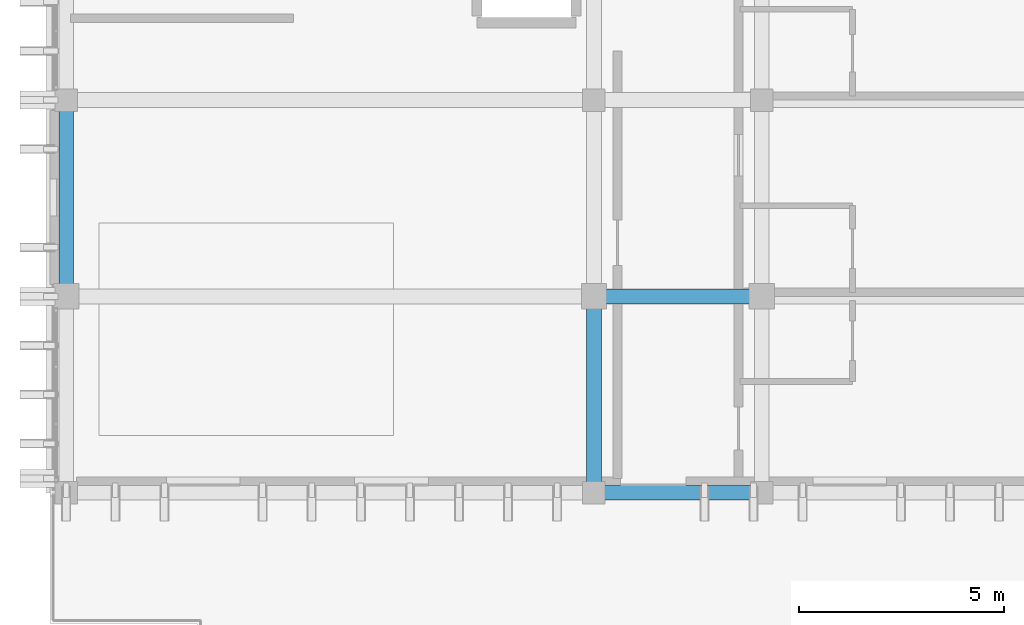
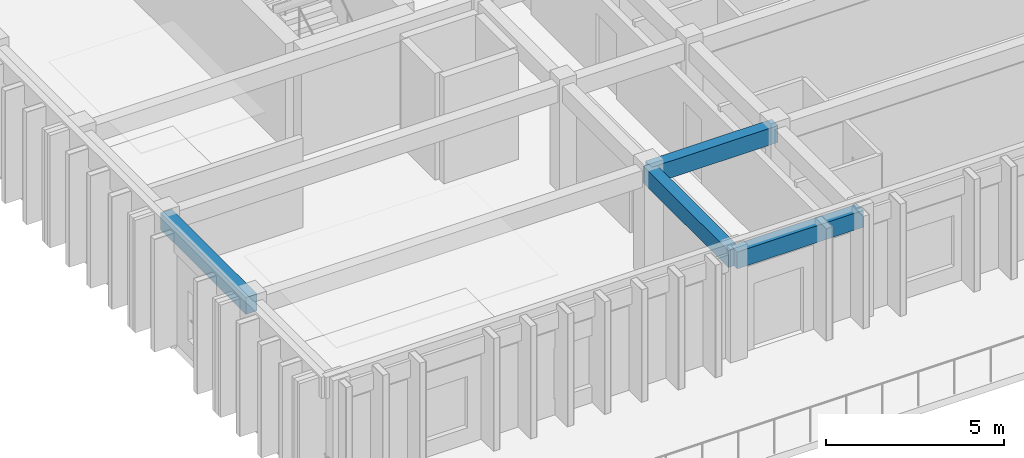
# One storey, part 3 of 50: 4 beams.
"""IFC4 building model written with IfcOpenShell, lengths in metres."""

from ifc_helpers import new_model, si_unit, direction, frame, origin, origin_2d, place, context, subcontext, project, spatial, rectangle, extrude, material, material_profile, profile_set, type_object, element, save


model = new_model("IFC4")

# Units and contexts
model_context = context("Model", 3, precision=1e-05, world=origin(), true_north=direction((0.0, 1.0)))
body_context = subcontext(model_context, "Body", "Model", "MODEL_VIEW")
ifc_project = project(units=[si_unit("LENGTHUNIT", "METRE"), si_unit("AREAUNIT", "SQUARE_METRE"), si_unit("VOLUMEUNIT", "CUBIC_METRE"), si_unit("PLANEANGLEUNIT", "RADIAN"), si_unit("MASSUNIT", "GRAM", prefix="KILO")], contexts=[model_context])

# Site, building, storey
site_placement = place(None, origin())
site = spatial("IfcSite", under=ifc_project, at=site_placement, CompositionType="ELEMENT")
building_placement = place(site_placement, origin())
building = spatial("IfcBuilding", under=site, at=building_placement, Name="Nakhvara Creek Congress Hotel", CompositionType="ELEMENT")
storey_placement = place(building_placement, frame((0.0, 0.0, 42.60009765625)))
storey = spatial("IfcBuildingStorey", under=building, at=storey_placement, Name="L10", CompositionType="ELEMENT", Elevation=42.60009765625)

# Beams
ifc_material = material(Name="Concrete C40/50", Category="concrete")
ifc_material_profile = material_profile(ifc_material, rectangle(XDim=0.360107421875, YDim=0.580078125, at=origin_2d()), Name="RC-BM 360x580", Category="LoadBearing")
ifc_profile_set = profile_set([ifc_material_profile], Name="Concrete C40/50")
beam_type = type_object("IfcBeamType", Name="BM-RC-360X580", PredefinedType="BEAM", material=ifc_profile_set)
beam_1_placement = place(storey_placement, frame((149.449951171875, 67.199951171875, 3.369873046875), z_axis=(0.0, 1.0, 0.0), x_axis=(-1.0, 0.0, 0.0)))
element("IfcBeam", 1, at=beam_1_placement, inside=storey, type_object=beam_type, Name="Beam B09-L10-2632", PredefinedType="BEAM", context=body_context, shape_type="SweptSolid", body=[
    extrude(rectangle(XDim=0.360107421875, YDim=0.580078125, at=origin_2d()), origin(), (0.0, 0.0, 1.0), 4.800048828125),
])
beam_2_placement = place(storey_placement, frame((162.35009765625, 67.199951171875, 3.369873046875), z_axis=(1.0, 0.0, 0.0), x_axis=(0.0, 1.0, 0.0)))
element("IfcBeam", 2, at=beam_2_placement, inside=storey, type_object=beam_type, Name="Beam B09-L10-2648", PredefinedType="BEAM", context=body_context, shape_type="SweptSolid", body=[
    extrude(rectangle(XDim=0.360107421875, YDim=0.580078125, at=origin_2d()), origin(), (0.0, 0.0, 1.0), 4.099853515625),
])
beam_3_placement = place(storey_placement, frame((162.35009765625, 62.39990234375, 3.369873046875), z_axis=(0.0, 1.0, 0.0), x_axis=(-1.0, 0.0, 0.0)))
element("IfcBeam", 3, at=beam_3_placement, inside=storey, type_object=beam_type, Name="Beam B09-L10-2649", PredefinedType="BEAM", context=body_context, shape_type="SweptSolid", body=[
    extrude(rectangle(XDim=0.360107421875, YDim=0.580078125, at=origin_2d()), origin(), (0.0, 0.0, 1.0), 4.800048828125),
])
beam_4_placement = place(storey_placement, frame((162.35009765625, 62.39990234375, 3.369873046875), z_axis=(1.0, 0.0, 0.0), x_axis=(0.0, 1.0, 0.0)))
element("IfcBeam", 4, at=beam_4_placement, inside=storey, type_object=beam_type, Name="Beam B09-L10-2706", PredefinedType="BEAM", context=body_context, shape_type="SweptSolid", body=[
    extrude(rectangle(XDim=0.360107421875, YDim=0.580078125, at=origin_2d()), origin(), (0.0, 0.0, 1.0), 4.099853515625),
])

save(model, "model.ifc")
